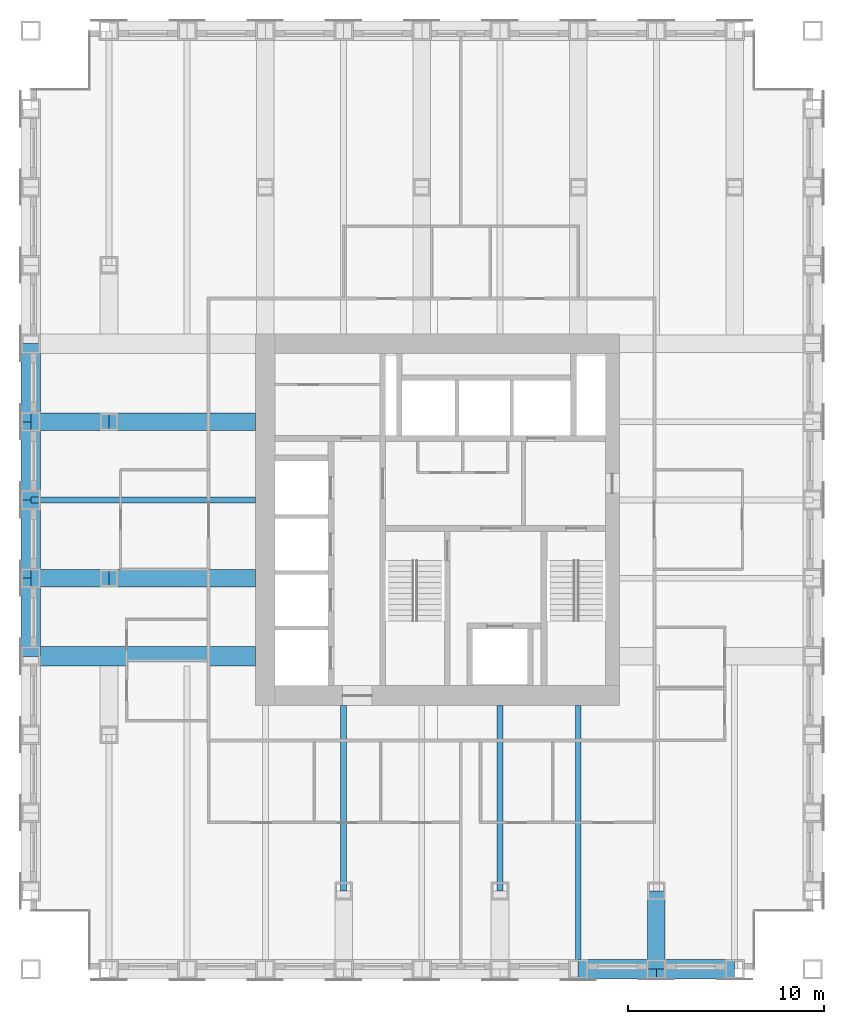
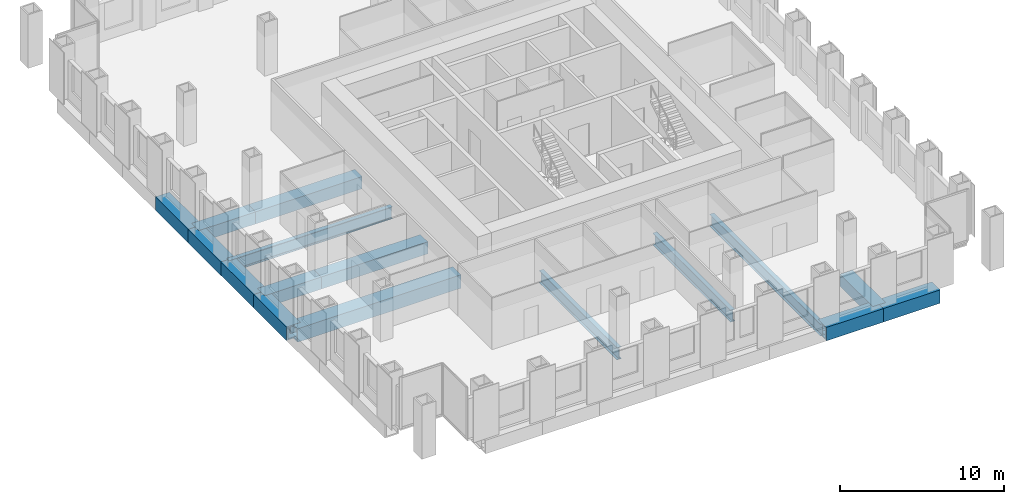
# One storey, part 3 of 12: 16 beams.
"""IFC4 building model written with IfcOpenShell, lengths in metres."""

from ifc_helpers import new_model, si_unit, direction, frame, origin, origin_2d, place, context, subcontext, project, spatial, hollow_rectangle, i_section, extrude, material, material_profile, profile_set, type_object, element, save


model = new_model("IFC4")

# Units and contexts
model_context = context("Model", 3, precision=1e-05, world=origin(), true_north=direction((0.0, 1.0)))
body_context = subcontext(model_context, "Body", "Model", "MODEL_VIEW")
ifc_project = project(units=[si_unit("LENGTHUNIT", "METRE"), si_unit("AREAUNIT", "SQUARE_METRE"), si_unit("VOLUMEUNIT", "CUBIC_METRE"), si_unit("PLANEANGLEUNIT", "RADIAN"), si_unit("MASSUNIT", "GRAM", prefix="KILO")], contexts=[model_context])

# Site, building, storey
site_placement = place(None, origin())
site = spatial("IfcSite", under=ifc_project, at=site_placement, CompositionType="ELEMENT")
building_placement = place(site_placement, origin())
building = spatial("IfcBuilding", under=site, at=building_placement, Name="Rimbunsela Tower", CompositionType="ELEMENT")
storey_placement = place(building_placement, frame((0.0, 0.0, 151.800048828125)))
storey = spatial("IfcBuildingStorey", under=building, at=storey_placement, Name="L36", CompositionType="ELEMENT", Elevation=151.800048828125)

# Beams
ifc_material_1 = material(Name="Steel BJ 55 (fy 410 MPa)", Category="steel")
ifc_material_profile_1 = material_profile(ifc_material_1, hollow_rectangle(XDim=1.0, YDim=1.0, WallThickness=0.10009765625, at=origin_2d()), Name="BOX 1000x1000x100")
ifc_profile_set_1 = profile_set([ifc_material_profile_1], Name="Steel BJ 55 (fy 410 MPa)")
beam_type_1 = type_object("IfcBeamType", Name="Beam BOX 1000x1000x100", PredefinedType="BEAM", material=ifc_profile_set_1)
beam_1_placement = place(storey_placement, frame((6.0, 20.0, -0.650146484375), z_axis=(0.0, 1.0, 0.0), x_axis=(-1.0, 0.0, 0.0)))
element("IfcBeam", 1, at=beam_1_placement, inside=storey, type_object=beam_type_1, Name="Beam B3 L36", PredefinedType="BEAM", context=body_context, shape_type="SweptSolid", body=[
    extrude(hollow_rectangle(XDim=1.0, YDim=1.0, WallThickness=0.10009765625, at=origin_2d()), origin(), (0.0, 0.0, 1.0), 4.0),
])
beam_2_placement = place(storey_placement, frame((6.0, 20.0, -0.650146484375), z_axis=(1.0, 0.0, 0.0), x_axis=(0.0, 1.0, 0.0)))
element("IfcBeam", 2, at=beam_2_placement, inside=storey, type_object=beam_type_1, Name="Beam B3 L36", PredefinedType="BEAM", context=body_context, shape_type="SweptSolid", body=[
    extrude(hollow_rectangle(XDim=1.0, YDim=1.0, WallThickness=0.10009765625, at=origin_2d()), origin(), (0.0, 0.0, 1.0), 11.5),
])
for number, where, z_axis, x_axis, name in (
    (3, (6.0, 24.0, -0.650146484375), (0.0, 1.0, 0.0), (-1.0, 0.0, 0.0), "Beam B3 L36"),
    (4, (6.0, 28.0, -0.650146484375), (0.0, 1.0, 0.0), (-1.0, 0.0, 0.0), "Beam B3 L36"),
    (5, (6.0, 32.0, -0.650146484375), (0.0, 1.0, 0.0), (-1.0, 0.0, 0.0), "Beam B3 L36"),
    (6, (34.0, 4.0, -0.650146484375), (1.0, 0.0, 0.0), (0.0, 1.0, 0.0), "Beam B3 L36"),
    (7, (38.0, 4.0, -0.650146484375), (1.0, 0.0, 0.0), (0.0, 1.0, 0.0), "Beam B3 L36"),
):
    element("IfcBeam", number, at=place(storey_placement, frame(where, z_axis=z_axis, x_axis=x_axis)), inside=storey, type_object=beam_type_1, Name=name, PredefinedType="BEAM", context=body_context, shape_type="SweptSolid", body=[
        extrude(hollow_rectangle(XDim=1.0, YDim=1.0, WallThickness=0.10009765625, at=origin_2d()), origin(), (0.0, 0.0, 1.0), 4.0),
    ])
ifc_material_2 = material(Name="Steel BJ 55 (fy 410 MPa)", Category="steel")
ifc_material_profile_2 = material_profile(ifc_material_2, hollow_rectangle(XDim=0.89990234375, YDim=0.89990234375, WallThickness=0.06005859375, at=origin_2d()), Name="BOX 900x900x60")
ifc_profile_set_2 = profile_set([ifc_material_profile_2], Name="Steel BJ 55 (fy 410 MPa)")
beam_type_2 = type_object("IfcBeamType", Name="Beam BOX 900x900x60", PredefinedType="BEAM", material=ifc_profile_set_2)
for number, where, z_axis, x_axis, name in (
    (8, (6.0, 24.0, -0.60009765625), (1.0, 0.0, 0.0), (0.0, 1.0, 0.0), "Beam B1 L36"),
    (9, (6.0, 32.0, -0.60009765625), (1.0, 0.0, 0.0), (0.0, 1.0, 0.0), "Beam B1 L36"),
):
    element("IfcBeam", number, at=place(storey_placement, frame(where, z_axis=z_axis, x_axis=x_axis)), inside=storey, type_object=beam_type_2, Name=name, PredefinedType="BEAM", context=body_context, shape_type="SweptSolid", body=[
        extrude(hollow_rectangle(XDim=0.89990234375, YDim=0.89990234375, WallThickness=0.06005859375, at=origin_2d()), origin(), (0.0, 0.0, 1.0), 4.0),
    ])
for number, where, z_axis, x_axis, name in (
    (10, (10.0, 24.0, -0.60009765625), (1.0, 0.0, 0.0), (0.0, 1.0, 0.0), "Beam B1 L36"),
    (11, (10.0, 32.0, -0.60009765625), (1.0, 0.0, 0.0), (0.0, 1.0, 0.0), "Beam B1 L36"),
):
    element("IfcBeam", number, at=place(storey_placement, frame(where, z_axis=z_axis, x_axis=x_axis)), inside=storey, type_object=beam_type_2, Name=name, PredefinedType="BEAM", context=body_context, shape_type="SweptSolid", body=[
        extrude(hollow_rectangle(XDim=0.89990234375, YDim=0.89990234375, WallThickness=0.06005859375, at=origin_2d()), origin(), (0.0, 0.0, 1.0), 7.5),
    ])
beam_3_placement = place(storey_placement, frame((38.0, 4.0, -0.60009765625), z_axis=(0.0, 1.0, 0.0), x_axis=(-1.0, 0.0, 0.0)))
element("IfcBeam", 12, at=beam_3_placement, inside=storey, type_object=beam_type_2, Name="Beam B1 L36", PredefinedType="BEAM", context=body_context, shape_type="SweptSolid", body=[
    extrude(hollow_rectangle(XDim=0.89990234375, YDim=0.89990234375, WallThickness=0.06005859375, at=origin_2d()), origin(), (0.0, 0.0, 1.0), 4.0),
])
ifc_material_3 = material(Name="Steel BJ 55 (fy 410 MPa)", Category="steel")
ifc_material_profile_3 = material_profile(ifc_material_3, i_section(OverallWidth=0.300048828125, OverallDepth=0.89990234375, WebThickness=0.01611328125, FlangeThickness=0.028076171875, FilletRadius=0.028076171875, at=origin_2d()), Name="H 900x300x16x28")
ifc_profile_set_3 = profile_set([ifc_material_profile_3], Name="Steel BJ 55 (fy 410 MPa)")
beam_type_3 = type_object("IfcBeamType", Name="Beam H 900x300x16x28", PredefinedType="BEAM", material=ifc_profile_set_3)
beam_4_placement = place(storey_placement, frame((6.0, 28.0, -0.60009765625), z_axis=(1.0, 0.0, 0.0), x_axis=(0.0, 1.0, 0.0)))
element("IfcBeam", 13, at=beam_4_placement, inside=storey, type_object=beam_type_3, Name="Beam B2 L36", PredefinedType="BEAM", context=body_context, shape_type="SweptSolid", body=[
    extrude(i_section(OverallWidth=0.300048828125, OverallDepth=0.89990234375, WebThickness=0.01611328125, FlangeThickness=0.028076171875, FilletRadius=0.028076171875, at=origin_2d()), origin(), (0.0, 0.0, 1.0), 11.5),
])
for number, where, z_axis, x_axis, name in (
    (14, (22.0, 8.0, -0.60009765625), (0.0, 1.0, 0.0), (-1.0, 0.0, 0.0), "Beam B2 L36"),
    (15, (30.0, 8.0, -0.60009765625), (0.0, 1.0, 0.0), (-1.0, 0.0, 0.0), "Beam B2 L36"),
):
    element("IfcBeam", number, at=place(storey_placement, frame(where, z_axis=z_axis, x_axis=x_axis)), inside=storey, type_object=beam_type_3, Name=name, PredefinedType="BEAM", context=body_context, shape_type="SweptSolid", body=[
        extrude(i_section(OverallWidth=0.300048828125, OverallDepth=0.89990234375, WebThickness=0.01611328125, FlangeThickness=0.028076171875, FilletRadius=0.028076171875, at=origin_2d()), origin(), (0.0, 0.0, 1.0), 9.5),
    ])
beam_5_placement = place(storey_placement, frame((34.0, 4.0, -0.60009765625), z_axis=(0.0, 1.0, 0.0), x_axis=(-1.0, 0.0, 0.0)))
element("IfcBeam", 16, at=beam_5_placement, inside=storey, type_object=beam_type_3, Name="Beam B2 L36", PredefinedType="BEAM", context=body_context, shape_type="SweptSolid", body=[
    extrude(i_section(OverallWidth=0.300048828125, OverallDepth=0.89990234375, WebThickness=0.01611328125, FlangeThickness=0.028076171875, FilletRadius=0.028076171875, at=origin_2d()), origin(), (0.0, 0.0, 1.0), 13.5),
])

save(model, "model.ifc")
